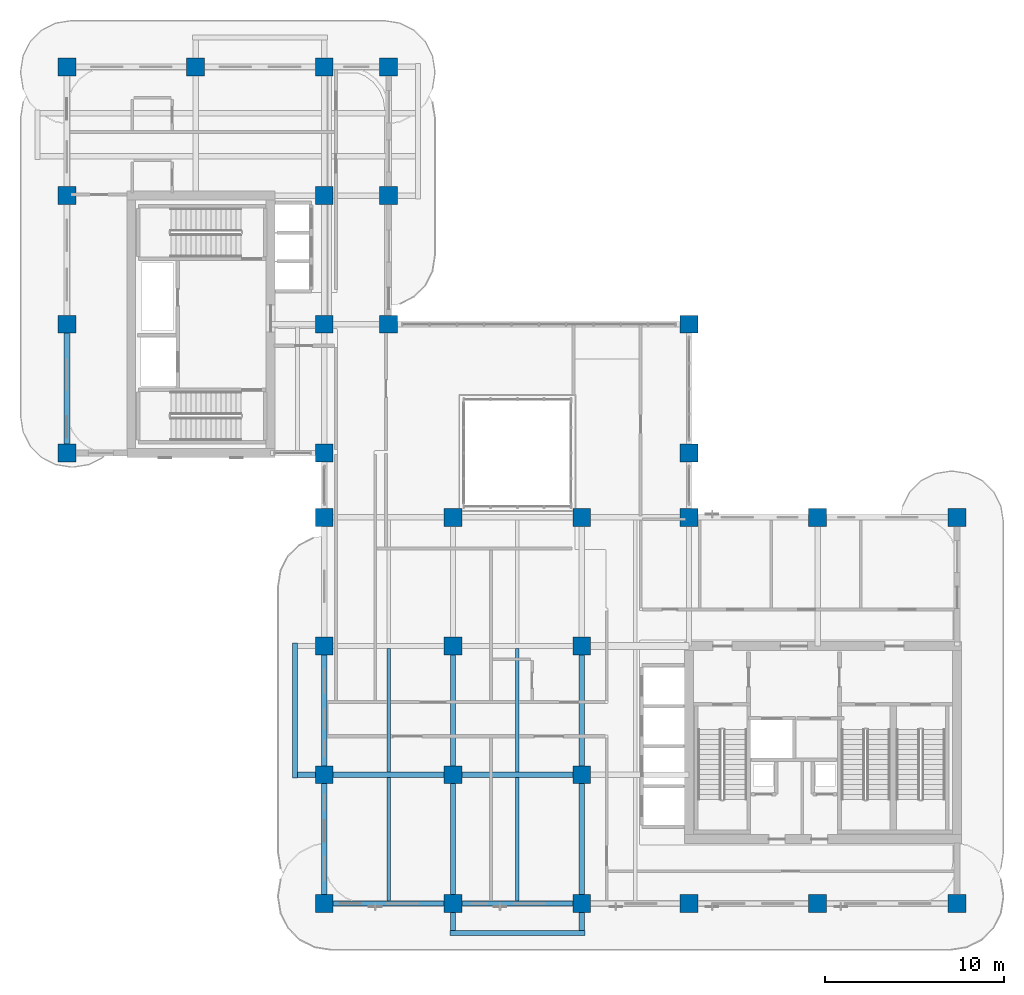
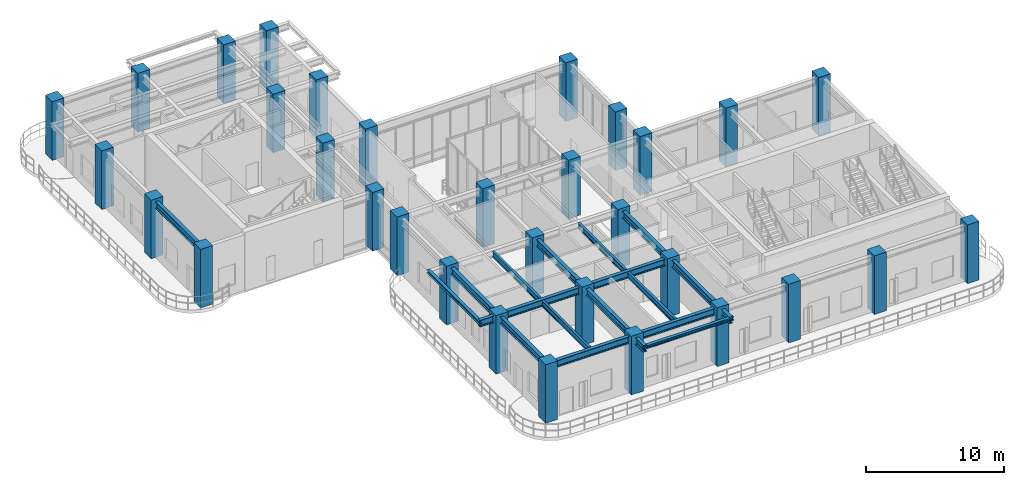
# One storey, part 1 of 21: 32 columns, 17 beams.
"""IFC4 building model written with IfcOpenShell, lengths in metres."""

from ifc_helpers import new_model, si_unit, derived_unit, direction, frame, origin, origin_2d, place, context, subcontext, project, spatial, rectangle, i_section, extrude, source, transform, mapped, material, material_profile, profile_set, type_object, type_shapes, element, save


model = new_model("IFC4")

# Units and contexts
model_context = context("Model", 3, precision=1e-05, world=origin(), true_north=direction((0.0, 1.0)))
body_context = subcontext(model_context, "Body", "Model", "MODEL_VIEW")
ifc_project = project(units=[si_unit("LENGTHUNIT", "METRE"), si_unit("AREAUNIT", "SQUARE_METRE"), si_unit("VOLUMEUNIT", "CUBIC_METRE"), si_unit("PLANEANGLEUNIT", "RADIAN"), si_unit("MASSUNIT", "GRAM", prefix="KILO"), si_unit("THERMODYNAMICTEMPERATUREUNIT", "KELVIN"), si_unit("POWERUNIT", "WATT"), derived_unit("THERMALTRANSMITTANCEUNIT", [(si_unit("POWERUNIT", "WATT"), 1), (si_unit("AREAUNIT", "SQUARE_METRE"), -1), (si_unit("THERMODYNAMICTEMPERATUREUNIT", "KELVIN"), -1)])], contexts=[model_context])

# Site, building, storey
site_placement = place(None, origin())
site = spatial("IfcSite", under=ifc_project, at=site_placement, CompositionType="ELEMENT")
building_placement = place(site_placement, origin())
building = spatial("IfcBuilding", under=site, at=building_placement, Name="Zahravan Archway Hotel and Residences", CompositionType="ELEMENT")
storey_placement = place(building_placement, frame((0.0, 0.0, 145.10009765625)))
storey = spatial("IfcBuildingStorey", under=building, at=storey_placement, Name="L36", CompositionType="ELEMENT", Elevation=145.10009765625)

# Columns
ifc_material_1 = material(Name="Concrete C60/75", Category="concrete")
ifc_material_profile_1 = material_profile(ifc_material_1, rectangle(XDim=1.0, YDim=1.0, at=origin_2d()), Name="RC-COL-1000x1000", Category="concrete")
ifc_profile_set_1 = profile_set([ifc_material_profile_1], Name="Concrete C60/75")
column_type = type_object("IfcColumnType", Name="COL-RC-1000", PredefinedType="COLUMN", material=ifc_profile_set_1)
shared_shape_1 = source(origin(), body_context, "Body", "SweptSolid", [
    extrude(rectangle(XDim=1.0, YDim=1.0, at=origin_2d()), origin(), (0.0, 0.0, 1.0), 5.199951171875),
])
for number, where, z_axis, x_axis, name in (
    (1, (0.0, 25.199951171875, 0.0), (0.0, 0.0, 1.0), (1.0, 0.0, 0.0), "L36 Column 1-E"),
    (2, (0.0, 32.39990234375, 0.0), (0.0, 0.0, 1.0), (1.0, 0.0, 0.0), "L36 Column 1-F"),
    (3, (0.0, 39.60009765625, 0.0), (0.0, 0.0, 1.0), (1.0, 0.0, 0.0), "L36 Column 1-G"),
    (4, (0.0, 46.800048828125, 0.0), (0.0, 0.0, 1.0), (1.0, 0.0, 0.0), "L36 Column 1-H"),
    (5, (7.199951171875, 46.800048828125, 0.0), (0.0, 0.0, 1.0), (1.0, 0.0, 0.0), "L36 Column 2-H"),
    (6, (14.39990234375, 0.0, 0.0), (0.0, 0.0, 1.0), (1.0, 0.0, 0.0), "L36 Column 3-A"),
    (7, (14.39990234375, 7.199951171875, 0.0), (0.0, 0.0, 1.0), (1.0, 0.0, 0.0), "L36 Column 3-B"),
    (8, (14.39990234375, 14.39990234375, 0.0), (0.0, 0.0, 1.0), (1.0, 0.0, 0.0), "L36 Column 3-C"),
    (9, (14.39990234375, 21.60009765625, 0.0), (0.0, 0.0, 1.0), (1.0, 0.0, 0.0), "L36 Column 3-D"),
    (10, (14.39990234375, 25.199951171875, 0.0), (0.0, 0.0, 1.0), (1.0, 0.0, 0.0), "L36 Column 3-E"),
    (11, (14.39990234375, 32.39990234375, 0.0), (0.0, 0.0, 1.0), (1.0, 0.0, 0.0), "L36 Column 3-F"),
    (12, (14.39990234375, 39.60009765625, 0.0), (0.0, 0.0, 1.0), (1.0, 0.0, 0.0), "L36 Column 3-G"),
    (13, (14.39990234375, 46.800048828125, 0.0), (0.0, 0.0, 1.0), (1.0, 0.0, 0.0), "L36 Column 3-H"),
    (14, (21.60009765625, 0.0, 0.0), (0.0, 0.0, 1.0), (1.0, 0.0, 0.0), "L36 Column 4-A"),
    (15, (21.60009765625, 7.199951171875, 0.0), (0.0, 0.0, 1.0), (1.0, 0.0, 0.0), "L36 Column 4-B"),
    (16, (21.60009765625, 14.39990234375, 0.0), (0.0, 0.0, 1.0), (1.0, 0.0, 0.0), "L36 Column 4-C"),
    (17, (21.60009765625, 21.60009765625, 0.0), (0.0, 0.0, 1.0), (1.0, 0.0, 0.0), "L36 Column 4-D"),
    (18, (28.800048828125, 0.0, 0.0), (0.0, 0.0, 1.0), (1.0, 0.0, 0.0), "L36 Column 5-A"),
    (19, (28.800048828125, 7.199951171875, 0.0), (0.0, 0.0, 1.0), (1.0, 0.0, 0.0), "L36 Column 5-B"),
    (20, (28.800048828125, 14.39990234375, 0.0), (0.0, 0.0, 1.0), (1.0, 0.0, 0.0), "L36 Column 5-C"),
    (21, (28.800048828125, 21.60009765625, 0.0), (0.0, 0.0, 1.0), (1.0, 0.0, 0.0), "L36 Column 5-D"),
    (22, (34.800048828125, 0.0, 0.0), (0.0, 0.0, 1.0), (1.0, 0.0, 0.0), "L36 Column 6-A"),
    (23, (34.800048828125, 21.60009765625, 0.0), (0.0, 0.0, 1.0), (1.0, 0.0, 0.0), "L36 Column 6-D"),
    (24, (34.800048828125, 25.199951171875, 0.0), (0.0, 0.0, 1.0), (1.0, 0.0, 0.0), "L36 Column 6-E"),
    (25, (34.800048828125, 32.39990234375, 0.0), (0.0, 0.0, 1.0), (1.0, 0.0, 0.0), "L36 Column 6-F"),
    (26, (42.0, 0.0, 0.0), (0.0, 0.0, 1.0), (1.0, 0.0, 0.0), "L36 Column 7-A"),
    (27, (42.0, 21.60009765625, 0.0), (0.0, 0.0, 1.0), (1.0, 0.0, 0.0), "L36 Column 7-D"),
    (28, (49.800048828125, 0.0, 0.0), (0.0, 0.0, 1.0), (1.0, 0.0, 0.0), "L36 Column 8-A"),
    (29, (49.800048828125, 21.60009765625, 0.0), (0.0, 0.0, 1.0), (1.0, 0.0, 0.0), "L36 Column 8-D"),
    (30, (18.0, 32.39990234375, 0.0), (0.0, 0.0, 1.0), (1.0, 0.0, 0.0), "L36 Column 3B-F"),
    (31, (18.0, 39.60009765625, 0.0), (0.0, 0.0, 1.0), (1.0, 0.0, 0.0), "L36 Column 3B-G"),
    (32, (18.0, 46.800048828125, 0.0), (0.0, 0.0, 1.0), (1.0, 0.0, 0.0), "L36 Column 3B-H"),
):
    element("IfcColumn", number, at=place(storey_placement, frame(where, z_axis=z_axis, x_axis=x_axis)), inside=storey, type_object=column_type, Name=name, PredefinedType="COLUMN", context=body_context, shape_type="MappedRepresentation", body=[
        mapped(shared_shape_1, transform((0.0, 0.0, 0.0), scale=1.0)),
    ])

# Beams
ifc_material_2 = material(Name="Structural Steel S355JR", Category="steel")
ifc_material_profile_2 = material_profile(ifc_material_2, i_section(OverallWidth=0.280029296875, OverallDepth=0.280029296875, WebThickness=0.010498046875, FlangeThickness=0.01806640625, FilletRadius=0.02392578125, at=origin_2d()), Name="HEB 280", Category="steel")
ifc_profile_set_2 = profile_set([ifc_material_profile_2], Name="Structural Steel S355JR")
beam_type_1 = type_object("IfcBeamType", Name="BM-SPN-HEB280", PredefinedType="SPANDREL", material=ifc_profile_set_2)
shared_shape_2 = source(origin(), body_context, "Body", "SweptSolid", [
    extrude(i_section(OverallWidth=0.280029296875, OverallDepth=0.280029296875, WebThickness=0.010498046875, FlangeThickness=0.01806640625, FilletRadius=0.02392578125, at=origin_2d()), origin(), (0.0, 0.0, 1.0), 7.56005859375),
])
type_shapes(beam_type_1, [shared_shape_2])
for number, where, z_axis, x_axis, name in (
    (33, (12.75, 7.02001953125, 4.809814453125), (0.0, 1.0, 0.0), (-1.0, 0.0, 0.0), "L37 WA Balcony Edge Spandrel"),
    (34, (21.419921875, -1.64990234375, 4.809814453125), (1.0, 0.0, 0.0), (0.0, 1.0, 0.0), "L37 SA Balcony Edge Spandrel"),
):
    element("IfcBeam", number, at=place(storey_placement, frame(where, z_axis=z_axis, x_axis=x_axis)), inside=storey, type_object=beam_type_1, Name=name, PredefinedType="SPANDREL", context=body_context, shape_type="MappedRepresentation", body=[
        mapped(shared_shape_2, transform((0.0, 0.0, 0.0), scale=1.0)),
    ])
ifc_material_profile_3 = material_profile(ifc_material_2, i_section(OverallWidth=0.300048828125, OverallDepth=0.60009765625, WebThickness=0.015380859375, FlangeThickness=0.030029296875, FilletRadius=0.027099609375, at=origin_2d()), Name="HEB 600", Category="steel")
ifc_profile_set_3 = profile_set([ifc_material_profile_3], Name="Structural Steel S355JR")
beam_type_2 = type_object("IfcBeamType", Name="BM-PRI-HEB600", PredefinedType="BEAM", material=ifc_profile_set_3)
shared_shape_3 = source(origin(), body_context, "Body", "SweptSolid", [
    extrude(i_section(OverallWidth=0.300048828125, OverallDepth=0.60009765625, WebThickness=0.015380859375, FlangeThickness=0.030029296875, FilletRadius=0.027099609375, at=origin_2d()), origin(), (0.0, 0.0, 1.0), 7.2001953125),
])
type_shapes(beam_type_2, [shared_shape_3])
beam_1_placement = place(storey_placement, frame((14.39990234375, 0.0, 4.64990234375), z_axis=(1.0, 0.0, 0.0), x_axis=(0.0, 1.0, 0.0)))
element("IfcBeam", 35, at=beam_1_placement, inside=storey, type_object=beam_type_2, Name="L36 Primary Girder EW-01", PredefinedType="BEAM", context=body_context, shape_type="MappedRepresentation", body=[
    mapped(shared_shape_3, transform((0.0, 0.0, 0.0), scale=1.0)),
])
shared_shape_4 = source(origin(), body_context, "Body", "SweptSolid", [
    extrude(i_section(OverallWidth=0.300048828125, OverallDepth=0.60009765625, WebThickness=0.015380859375, FlangeThickness=0.030029296875, FilletRadius=0.027099609375, at=origin_2d()), origin(), (0.0, 0.0, 1.0), 7.199951171875),
])
for number, where, z_axis, x_axis, name in (
    (36, (21.60009765625, 0.0, 4.64990234375), (1.0, 0.0, 0.0), (0.0, 1.0, 0.0), "L36 Primary Girder EW-02"),
    (37, (21.60009765625, 7.199951171875, 4.64990234375), (1.0, 0.0, 0.0), (0.0, 1.0, 0.0), "L36 Primary Girder EW-07"),
    (38, (0.0, 25.199951171875, 4.64990234375), (0.0, 1.0, 0.0), (-1.0, 0.0, 0.0), "L36 Primary Girder NS-24"),
    (39, (14.39990234375, 0.0, 4.64990234375), (0.0, 1.0, 0.0), (-1.0, 0.0, 0.0), "L36 Primary Girder NS-28"),
    (40, (14.39990234375, 7.199951171875, 4.64990234375), (0.0, 1.0, 0.0), (-1.0, 0.0, 0.0), "L36 Primary Girder NS-29"),
    (41, (21.60009765625, 7.199951171875, 4.64990234375), (0.0, 1.0, 0.0), (-1.0, 0.0, 0.0), "L36 Primary Girder NS-36"),
    (42, (28.800048828125, 7.199951171875, 4.64990234375), (0.0, 1.0, 0.0), (-1.0, 0.0, 0.0), "L36 Primary Girder NS-39"),
):
    element("IfcBeam", number, at=place(storey_placement, frame(where, z_axis=z_axis, x_axis=x_axis)), inside=storey, type_object=beam_type_2, Name=name, PredefinedType="BEAM", context=body_context, shape_type="MappedRepresentation", body=[
        mapped(shared_shape_4, transform((0.0, 0.0, 0.0), scale=1.0)),
    ])
shared_shape_5 = source(origin(), body_context, "Body", "SweptSolid", [
    extrude(i_section(OverallWidth=0.300048828125, OverallDepth=0.60009765625, WebThickness=0.015380859375, FlangeThickness=0.030029296875, FilletRadius=0.027099609375, at=origin_2d()), origin(), (0.0, 0.0, 1.0), 8.85009765625),
])
beam_2_placement = place(storey_placement, frame((12.75, 7.199951171875, 4.64990234375), z_axis=(1.0, 0.0, 0.0), x_axis=(0.0, 1.0, 0.0)))
element("IfcBeam", 43, at=beam_2_placement, inside=storey, type_object=beam_type_2, Name="L36 Primary Girder EW-06", PredefinedType="BEAM", context=body_context, shape_type="MappedRepresentation", body=[
    mapped(shared_shape_5, transform((0.0, 0.0, 0.0), scale=1.0)),
])
shared_shape_6 = source(origin(), body_context, "Body", "SweptSolid", [
    extrude(i_section(OverallWidth=0.300048828125, OverallDepth=0.60009765625, WebThickness=0.015380859375, FlangeThickness=0.030029296875, FilletRadius=0.027099609375, at=origin_2d()), origin(), (0.0, 0.0, 1.0), 8.849853515625),
])
for number, where, z_axis, x_axis, name in (
    (44, (21.60009765625, -1.64990234375, 4.64990234375), (0.0, 1.0, 0.0), (-1.0, 0.0, 0.0), "L36 Primary Girder NS-35"),
    (45, (28.800048828125, -1.64990234375, 4.64990234375), (0.0, 1.0, 0.0), (-1.0, 0.0, 0.0), "L36 Primary Girder NS-38"),
):
    element("IfcBeam", number, at=place(storey_placement, frame(where, z_axis=z_axis, x_axis=x_axis)), inside=storey, type_object=beam_type_2, Name=name, PredefinedType="BEAM", context=body_context, shape_type="MappedRepresentation", body=[
        mapped(shared_shape_6, transform((0.0, 0.0, 0.0), scale=1.0)),
    ])
ifc_material_profile_4 = material_profile(ifc_material_2, i_section(OverallWidth=0.199951171875, OverallDepth=0.5, WebThickness=0.01025390625, FlangeThickness=0.01611328125, FilletRadius=0.02099609375, at=origin_2d()), Name="IPE 500", Category="steel")
ifc_profile_set_4 = profile_set([ifc_material_profile_4], Name="Structural Steel S355JR")
beam_type_3 = type_object("IfcBeamType", Name="BM-JST-IPE500", PredefinedType="JOIST", material=ifc_profile_set_4)
shared_shape_7 = source(origin(), body_context, "Body", "SweptSolid", [
    extrude(i_section(OverallWidth=0.199951171875, OverallDepth=0.5, WebThickness=0.01025390625, FlangeThickness=0.01611328125, FilletRadius=0.02099609375, at=origin_2d()), origin(), (0.0, 0.0, 1.0), 6.904052734375),
])
type_shapes(beam_type_3, [shared_shape_7])
for number, where, z_axis, x_axis, name in (
    (46, (18.0, 0.14794921875, 4.699951171875), (0.0, 1.0, 0.0), (-1.0, 0.0, 0.0), "L36 Composite Floor Joist 01"),
    (47, (25.199951171875, 0.14794921875, 4.699951171875), (0.0, 1.0, 0.0), (-1.0, 0.0, 0.0), "L36 Composite Floor Joist 02"),
    (48, (18.0, 7.347900390625, 4.699951171875), (0.0, 1.0, 0.0), (-1.0, 0.0, 0.0), "L36 Composite Floor Joist 04"),
    (49, (25.199951171875, 7.347900390625, 4.699951171875), (0.0, 1.0, 0.0), (-1.0, 0.0, 0.0), "L36 Composite Floor Joist 05"),
):
    element("IfcBeam", number, at=place(storey_placement, frame(where, z_axis=z_axis, x_axis=x_axis)), inside=storey, type_object=beam_type_3, Name=name, PredefinedType="JOIST", context=body_context, shape_type="MappedRepresentation", body=[
        mapped(shared_shape_7, transform((0.0, 0.0, 0.0), scale=1.0)),
    ])

save(model, "model.ifc")
